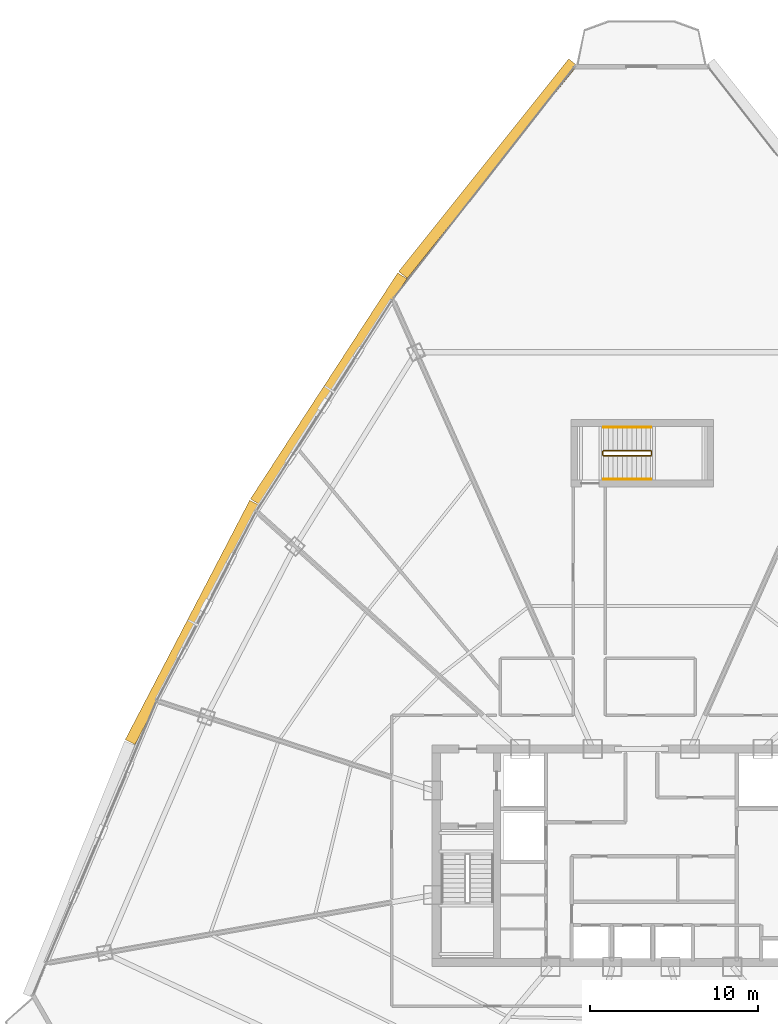
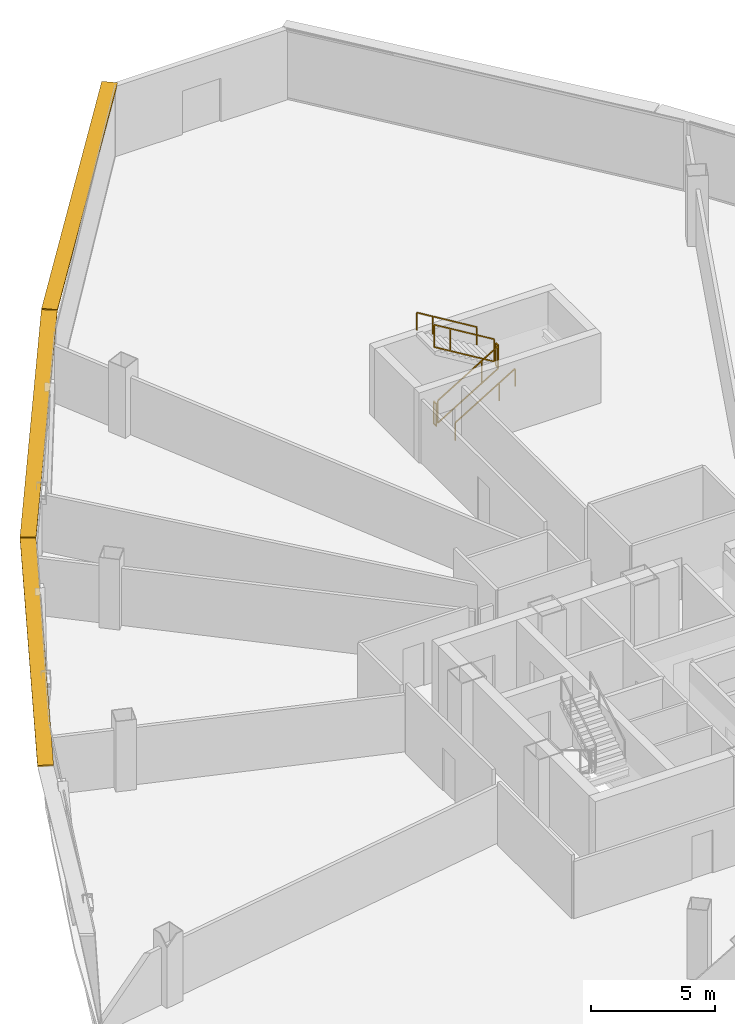
# One storey, part 33 of 34: 6 railings, 3 shading devices.
"""IFC4 building model written with IfcOpenShell, lengths in metres."""

from ifc_helpers import new_model, si_unit, direction, frame, origin, origin_2d, place, context, subcontext, project, spatial, rectangle, extrude, source, transform, mapped, material, layer, layer_set, type_object, element, save


model = new_model("IFC4")

# Units and contexts
model_context = context("Model", 3, precision=1e-05, world=origin(), true_north=direction((0.0, 1.0)))
body_context = subcontext(model_context, "Body", "Model", "MODEL_VIEW")
ifc_project = project(units=[si_unit("LENGTHUNIT", "METRE"), si_unit("AREAUNIT", "SQUARE_METRE"), si_unit("VOLUMEUNIT", "CUBIC_METRE"), si_unit("PLANEANGLEUNIT", "RADIAN"), si_unit("MASSUNIT", "GRAM", prefix="KILO"), si_unit("THERMODYNAMICTEMPERATUREUNIT", "KELVIN"), si_unit("POWERUNIT", "WATT")], contexts=[model_context])

# Site, building, storey
site_placement = place(None, origin())
site = spatial("IfcSite", under=ifc_project, at=site_placement, CompositionType="ELEMENT")
building_placement = place(site_placement, origin())
building = spatial("IfcBuilding", under=site, at=building_placement, Name="Yunzhuo Pagoda Commons", CompositionType="ELEMENT")
storey_placement = place(building_placement, frame((0.0, 0.0, 233.340087890625)))
storey = spatial("IfcBuildingStorey", under=building, at=storey_placement, Name="L58", CompositionType="ELEMENT", Elevation=233.340087890625)

# Railings
ifc_material = material(Name="Anodized aluminium 6063-T6", Category="aluminium")
railing_type_1 = type_object("IfcRailingType", Name="GR-ST3 North Well Guardrail 1155", PredefinedType="GUARDRAIL", material=ifc_material)
railing_1_placement = place(storey_placement, frame((45.75, 57.64990234375, 0.16943359375)))
element("IfcRailing", 1, at=railing_1_placement, inside=storey, type_object=railing_type_1, Name="L58 ST3 stair guard 1", PredefinedType="GUARDRAIL", context=body_context, shape_type="SweptSolid", body=[
    extrude(rectangle(XDim=0.048095703125, YDim=0.048095703125, at=origin_2d()), frame((0.0, 0.0, 1.1259765625), z_axis=(0.855393119324, 0.0, 0.517979354234), x_axis=(0.0, 1.0, 0.0)), (0.0, 0.0, 1.0), 3.2734375),
    extrude(rectangle(XDim=0.048095703125, YDim=0.048095703125, at=origin_2d()), frame((0.0, 0.0, 0.02392578125), z_axis=(0.855393119324, 0.0, 0.517979354234), x_axis=(0.0, 1.0, 0.0)), (0.0, 0.0, 1.0), 3.2734375),
    extrude(rectangle(XDim=0.0419921875, YDim=0.0419921875, at=origin_2d()), origin(), (0.0, 0.0, 1.0), 1.101806640625),
    extrude(rectangle(XDim=0.0419921875, YDim=0.0419921875, at=origin_2d()), frame((2.052978515625, 0.0, 1.2431640625)), (0.0, 0.0, 1.0), 1.101806640625),
    extrude(rectangle(XDim=0.0419921875, YDim=0.0419921875, at=origin_2d()), frame((2.800048828125, 0.0, 1.695556640625)), (0.0, 0.0, 1.0), 1.101806640625),
])
railing_2_placement = place(storey_placement, frame((48.60009765625, 57.699951171875, 1.864990234375)))
element("IfcRailing", 2, at=railing_2_placement, inside=storey, type_object=railing_type_1, Name="L58 ST3 stair guard 2", PredefinedType="GUARDRAIL", context=body_context, shape_type="SweptSolid", body=[
    extrude(rectangle(XDim=0.048095703125, YDim=0.048095703125, at=origin_2d()), frame((0.0, 0.0, 1.1259765625), z_axis=(0.0, 1.0, 0.0), x_axis=(-1.0, 0.0, 0.0)), (0.0, 0.0, 1.0), 0.199951171875),
    extrude(rectangle(XDim=0.048095703125, YDim=0.048095703125, at=origin_2d()), frame((0.0, 0.0, 0.02392578125), z_axis=(0.0, 1.0, 0.0), x_axis=(-1.0, 0.0, 0.0)), (0.0, 0.0, 1.0), 0.199951171875),
    extrude(rectangle(XDim=0.0419921875, YDim=0.0419921875, at=origin_2d()), origin(), (0.0, 0.0, 1.0), 1.101806640625),
    extrude(rectangle(XDim=0.0419921875, YDim=0.0419921875, at=origin_2d()), frame((0.0, 0.199951171875, 0.0)), (0.0, 0.0, 1.0), 1.101806640625),
])
railing_3_placement = place(storey_placement, frame((48.550048828125, 57.949951171875, 2.034423828125)))
element("IfcRailing", 3, at=railing_3_placement, inside=storey, type_object=railing_type_1, Name="L58 ST3 stair guard 3", PredefinedType="GUARDRAIL", context=body_context, shape_type="SweptSolid", body=[
    extrude(rectangle(XDim=0.048095703125, YDim=0.048095703125, at=origin_2d()), frame((0.0, 0.0, 1.1259765625), z_axis=(-0.855393119324, 0.0, 0.517979354234), x_axis=(0.0, -1.0, 0.0)), (0.0, 0.0, 1.0), 3.2734375),
    extrude(rectangle(XDim=0.048095703125, YDim=0.048095703125, at=origin_2d()), frame((0.0, 0.0, 0.02392578125), z_axis=(-0.855393119324, 0.0, 0.517979354234), x_axis=(0.0, -1.0, 0.0)), (0.0, 0.0, 1.0), 3.2734375),
    extrude(rectangle(XDim=0.0419921875, YDim=0.0419921875, at=origin_2d()), origin(), (0.0, 0.0, 1.0), 1.101806640625),
    extrude(rectangle(XDim=0.0419921875, YDim=0.0419921875, at=origin_2d()), frame((-2.052978515625, 0.0, 1.2431640625)), (0.0, 0.0, 1.0), 1.101806640625),
    extrude(rectangle(XDim=0.0419921875, YDim=0.0419921875, at=origin_2d()), frame((-2.800048828125, 0.0, 1.695556640625)), (0.0, 0.0, 1.0), 1.101806640625),
])
railing_4_placement = place(storey_placement, frame((45.699951171875, 57.699951171875, 0.0)))
element("IfcRailing", 4, at=railing_4_placement, inside=storey, type_object=railing_type_1, Name="L58 ST3 stair guard 4", PredefinedType="GUARDRAIL", context=body_context, shape_type="SweptSolid", body=[
    extrude(rectangle(XDim=0.048095703125, YDim=0.048095703125, at=origin_2d()), frame((0.0, 0.0, 1.1259765625), z_axis=(0.0, 1.0, 0.0), x_axis=(-1.0, 0.0, 0.0)), (0.0, 0.0, 1.0), 0.199951171875),
    extrude(rectangle(XDim=0.048095703125, YDim=0.048095703125, at=origin_2d()), frame((0.0, 0.0, 0.02392578125), z_axis=(0.0, 1.0, 0.0), x_axis=(-1.0, 0.0, 0.0)), (0.0, 0.0, 1.0), 0.199951171875),
    extrude(rectangle(XDim=0.0419921875, YDim=0.0419921875, at=origin_2d()), origin(), (0.0, 0.0, 1.0), 1.101806640625),
    extrude(rectangle(XDim=0.0419921875, YDim=0.0419921875, at=origin_2d()), frame((0.0, 0.199951171875, 0.0)), (0.0, 0.0, 1.0), 1.101806640625),
])
railing_type_2 = type_object("IfcRailingType", Name="HR-ST3 North Stair Handrail 900", PredefinedType="HANDRAIL", material=ifc_material)
railing_5_placement = place(storey_placement, frame((45.75, 56.25, 0.16943359375)))
element("IfcRailing", 5, at=railing_5_placement, inside=storey, type_object=railing_type_2, Name="L58 ST3 stair handrail 1", PredefinedType="HANDRAIL", context=body_context, shape_type="SweptSolid", body=[
    extrude(rectangle(XDim=0.048095703125, YDim=0.048095703125, at=origin_2d()), frame((0.0, 0.0, 0.8759765625), z_axis=(0.855393119324, 0.0, 0.517979354234), x_axis=(0.0, 1.0, 0.0)), (0.0, 0.0, 1.0), 3.2734375),
    extrude(rectangle(XDim=0.0419921875, YDim=0.0419921875, at=origin_2d()), origin(), (0.0, 0.0, 1.0), 0.851806640625),
    extrude(rectangle(XDim=0.0419921875, YDim=0.0419921875, at=origin_2d()), frame((2.052978515625, 0.0, 1.2431640625)), (0.0, 0.0, 1.0), 0.851806640625),
    extrude(rectangle(XDim=0.0419921875, YDim=0.0419921875, at=origin_2d()), frame((2.800048828125, 0.0, 1.695556640625)), (0.0, 0.0, 1.0), 0.851806640625),
])
railing_6_placement = place(storey_placement, frame((48.550048828125, 59.35009765625, 2.034423828125)))
element("IfcRailing", 6, at=railing_6_placement, inside=storey, type_object=railing_type_2, Name="L58 ST3 stair handrail 2", PredefinedType="HANDRAIL", context=body_context, shape_type="SweptSolid", body=[
    extrude(rectangle(XDim=0.048095703125, YDim=0.048095703125, at=origin_2d()), frame((0.0, 0.0, 0.8759765625), z_axis=(-0.855393119324, 0.0, 0.517979354234), x_axis=(0.0, -1.0, 0.0)), (0.0, 0.0, 1.0), 3.2734375),
    extrude(rectangle(XDim=0.0419921875, YDim=0.0419921875, at=origin_2d()), origin(), (0.0, 0.0, 1.0), 0.851806640625),
    extrude(rectangle(XDim=0.0419921875, YDim=0.0419921875, at=origin_2d()), frame((-2.052978515625, 0.0, 1.2431640625)), (0.0, 0.0, 1.0), 0.851806640625),
    extrude(rectangle(XDim=0.0419921875, YDim=0.0419921875, at=origin_2d()), frame((-2.800048828125, 0.0, 1.695556640625)), (0.0, 0.0, 1.0), 0.851806640625),
])

# Shading devices
ifc_layer = layer(ifc_material, 0.080078125)
ifc_layer_set = layer_set([ifc_layer], Name="Anodized aluminium 6063-T6")
shading_device_type = type_object("IfcShadingDeviceType", Name="SH-SUN1 Pagoda Horizontal Sunshade Eave 650", PredefinedType="USERDEFINED", material=ifc_layer_set)
shared_shape_1 = source(origin(), body_context, "Body", "SweptSolid", [
    extrude(rectangle(XDim=16.2041015625, YDim=0.64990234375, at=origin_2d()), origin(), (0.0, 0.0, 1.0), 0.080078125),
])
shading_device_placement = place(storey_placement, frame((38.869384765625, 74.73828125, 3.389892578125), z_axis=(0.0, 0.0, 1.0), x_axis=(-0.624520471688, -0.781008438138, 0.0)))
element("IfcShadingDevice", 7, at=shading_device_placement, inside=storey, type_object=shading_device_type, Name="L58 horizontal pagoda sunshade eave F3.1", ObjectType="SUNSHADE", PredefinedType="USERDEFINED", context=body_context, shape_type="MappedRepresentation", body=[
    mapped(shared_shape_1, transform((0.0, 0.0, 0.0), scale=1.0)),
])
shared_shape_2 = source(origin(), body_context, "Body", "SweptSolid", [
    extrude(rectangle(XDim=16.05029296875, YDim=0.64990234375, at=origin_2d()), origin(), (0.0, 0.0, 1.0), 0.080078125),
])
for number, where, z_axis, x_axis, name in (
    (8, (29.391845703125, 61.63525390625, 3.389892578125), (0.0, 0.0, 1.0), (-0.545838756973, -0.837890238269, 0.0), "L58 horizontal pagoda sunshade eave F3.2"),
    (9, (21.2783203125, 47.735595703125, 3.389892578125), (0.0, 0.0, 1.0), (-0.461206683033, -0.88729273384, 0.0), "L58 horizontal pagoda sunshade eave F3.3"),
):
    element("IfcShadingDevice", number, at=place(storey_placement, frame(where, z_axis=z_axis, x_axis=x_axis)), inside=storey, type_object=shading_device_type, Name=name, ObjectType="SUNSHADE", PredefinedType="USERDEFINED", context=body_context, shape_type="MappedRepresentation", body=[
        mapped(shared_shape_2, transform((0.0, 0.0, 0.0), scale=1.0)),
    ])

save(model, "model.ifc")
